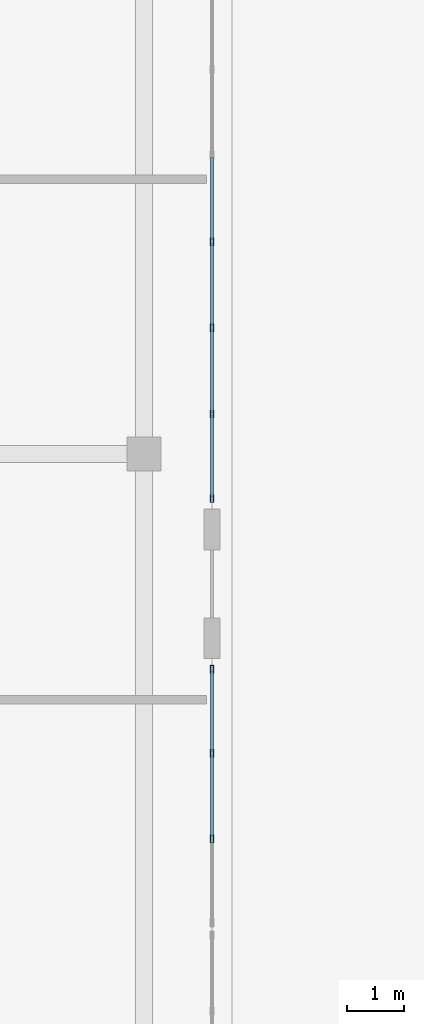
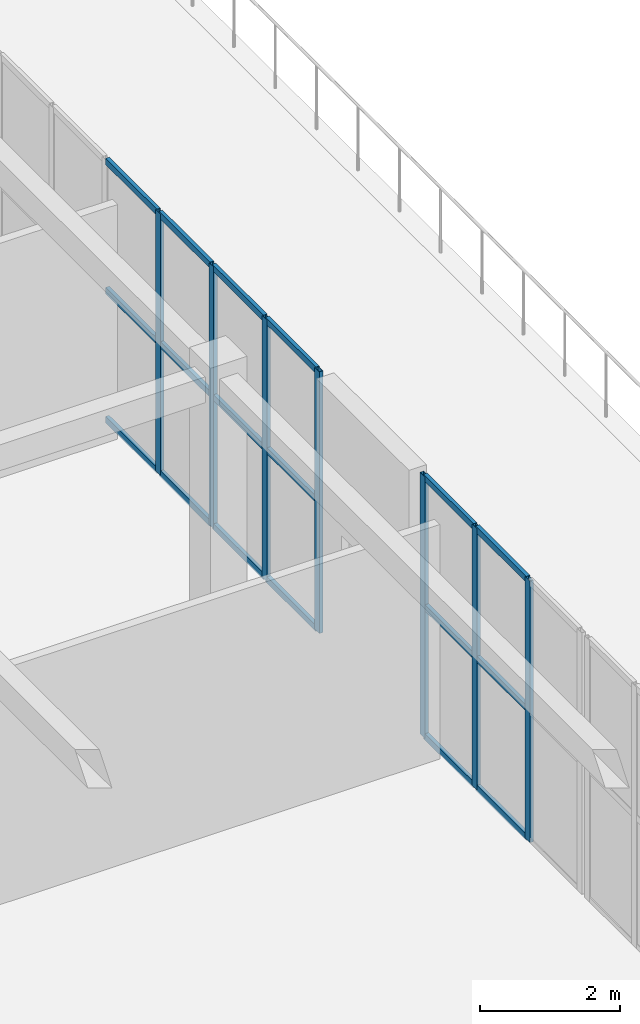
# One storey, part 52 of 158: 25 members, 2 elements without a shape of their own.
"""IFC4 building model written with IfcOpenShell, lengths in metres."""

from ifc_helpers import new_model, si_unit, direction, frame, origin, origin_2d, place, context, subcontext, project, spatial, hollow_rectangle, extrude, material, layer, layer_set, material_profile, profile_set, type_object, element, aggregate, save


model = new_model("IFC4")

# Units and contexts
model_context = context("Model", 3, precision=1e-05, world=origin(), true_north=direction((0.0, 1.0)))
body_context = subcontext(model_context, "Body", "Model", "MODEL_VIEW")
ifc_project = project(units=[si_unit("LENGTHUNIT", "METRE"), si_unit("AREAUNIT", "SQUARE_METRE"), si_unit("VOLUMEUNIT", "CUBIC_METRE"), si_unit("PLANEANGLEUNIT", "RADIAN"), si_unit("MASSUNIT", "GRAM", prefix="KILO")], contexts=[model_context])

# Site, building, storey
site_placement = place(None, origin())
site = spatial("IfcSite", under=ifc_project, at=site_placement, CompositionType="ELEMENT")
building_placement = place(site_placement, origin())
building = spatial("IfcBuilding", under=site, at=building_placement, Name="Trelvath General Hospital", CompositionType="ELEMENT")
storey_placement = place(building_placement, frame((0.0, 0.0, 8.10009765625)))
storey = spatial("IfcBuildingStorey", under=building, at=storey_placement, Name="L02", CompositionType="ELEMENT", Elevation=8.10009765625)

# Curtain wall, members
ifc_material_1 = material(Name="Anodised aluminium and low-E glass", Category="aluminium")
ifc_layer_1 = layer(ifc_material_1, 0.139892578125)
ifc_layer_set_1 = layer_set([ifc_layer_1], Name="Anodised aluminium and low-E glass")
curtain_wall_type_1 = type_object("IfcCurtainWallType", Name="CW CrystalCube 454 456 14", PredefinedType="USERDEFINED", material=ifc_layer_set_1)
curtain_wall_1_placement = place(storey_placement, origin())
curtain_wall_1 = element("IfcCurtainWall", 1, at=curtain_wall_1_placement, inside=storey, type_object=curtain_wall_type_1, Name="Crystal Cube Curtain Wall CUBE-E-T1 E3 L02", ObjectType="Unitised Glazed Curtain Wall", PredefinedType="USERDEFINED")
ifc_material_2 = material(Name="Anodised aluminium", Category="aluminium")
ifc_material_profile_1 = material_profile(ifc_material_2, hollow_rectangle(XDim=0.06005859375, YDim=0.139892578125, WallThickness=0.00390625, at=origin_2d()), Name="RHS60x140x4")
ifc_profile_set_1 = profile_set([ifc_material_profile_1], Name="Anodised aluminium")
member_type_1 = type_object("IfcMemberType", Name="CurtainMullion 60x140", PredefinedType="MULLION", material=ifc_profile_set_1)
member_1_placement = place(storey_placement, frame((114.800048828125, 54.989990234375, 0.0), z_axis=(0.0, 0.0, 1.0), x_axis=(1.0, 0.0, 0.0)))
member_1 = element("IfcMember", 2, at=member_1_placement, type_object=member_type_1, Name="CW-214 mullion 1", PredefinedType="MULLION", context=body_context, shape_type="SweptSolid", body=[
    extrude(hollow_rectangle(XDim=0.06005859375, YDim=0.139892578125, WallThickness=0.00390625, at=origin_2d()), origin(), (0.0, 0.0, 1.0), 4.559814453125),
])
member_2_placement = place(storey_placement, frame((114.800048828125, 53.506591796875, 0.0), z_axis=(0.0, 0.0, 1.0), x_axis=(1.0, 0.0, 0.0)))
member_2 = element("IfcMember", 3, at=member_2_placement, type_object=member_type_1, Name="CW-214 mullion 2", PredefinedType="MULLION", context=body_context, shape_type="SweptSolid", body=[
    extrude(hollow_rectangle(XDim=0.06005859375, YDim=0.139892578125, WallThickness=0.00390625, at=origin_2d()), origin(), (0.0, 0.0, 1.0), 4.559814453125),
])
member_3_placement = place(storey_placement, frame((114.800048828125, 51.993408203125, 0.0), z_axis=(0.0, 0.0, 1.0), x_axis=(1.0, 0.0, 0.0)))
member_3 = element("IfcMember", 4, at=member_3_placement, type_object=member_type_1, Name="CW-214 mullion 3", PredefinedType="MULLION", context=body_context, shape_type="SweptSolid", body=[
    extrude(hollow_rectangle(XDim=0.06005859375, YDim=0.139892578125, WallThickness=0.00390625, at=origin_2d()), origin(), (0.0, 0.0, 1.0), 4.559814453125),
])

ifc_material_3 = material(Name="Anodised aluminium and low-E glass", Category="aluminium")
ifc_layer_2 = layer(ifc_material_3, 0.139892578125)
ifc_layer_set_2 = layer_set([ifc_layer_2], Name="Anodised aluminium and low-E glass")
curtain_wall_type_2 = type_object("IfcCurtainWallType", Name="CW CrystalCube 914 456 14", PredefinedType="USERDEFINED", material=ifc_layer_set_2)
curtain_wall_2_placement = place(storey_placement, origin())
curtain_wall_2 = element("IfcCurtainWall", 5, at=curtain_wall_2_placement, inside=storey, type_object=curtain_wall_type_2, Name="Crystal Cube Curtain Wall CUBE-E-T1 E5 L02", ObjectType="Unitised Glazed Curtain Wall", PredefinedType="USERDEFINED")
member_4_placement = place(storey_placement, frame((114.800048828125, 62.550048828125, 0.0), z_axis=(0.0, 0.0, 1.0), x_axis=(1.0, 0.0, 0.0)))
member_4 = element("IfcMember", 6, at=member_4_placement, type_object=member_type_1, Name="CW-215 mullion 4", PredefinedType="MULLION", context=body_context, shape_type="SweptSolid", body=[
    extrude(hollow_rectangle(XDim=0.06005859375, YDim=0.139892578125, WallThickness=0.00390625, at=origin_2d()), origin(), (0.0, 0.0, 1.0), 4.559814453125),
])
member_5_placement = place(storey_placement, frame((114.800048828125, 61.026611328125, 0.0), z_axis=(0.0, 0.0, 1.0), x_axis=(1.0, 0.0, 0.0)))
member_5 = element("IfcMember", 7, at=member_5_placement, type_object=member_type_1, Name="CW-215 mullion 5", PredefinedType="MULLION", context=body_context, shape_type="SweptSolid", body=[
    extrude(hollow_rectangle(XDim=0.06005859375, YDim=0.139892578125, WallThickness=0.00390625, at=origin_2d()), origin(), (0.0, 0.0, 1.0), 4.559814453125),
])
member_6_placement = place(storey_placement, frame((114.800048828125, 59.50341796875, 0.0), z_axis=(0.0, 0.0, 1.0), x_axis=(1.0, 0.0, 0.0)))
member_6 = element("IfcMember", 8, at=member_6_placement, type_object=member_type_1, Name="CW-215 mullion 6", PredefinedType="MULLION", context=body_context, shape_type="SweptSolid", body=[
    extrude(hollow_rectangle(XDim=0.06005859375, YDim=0.139892578125, WallThickness=0.00390625, at=origin_2d()), origin(), (0.0, 0.0, 1.0), 4.559814453125),
])
member_7_placement = place(storey_placement, frame((114.800048828125, 58.010009765625, 0.0), z_axis=(0.0, 0.0, 1.0), x_axis=(1.0, 0.0, 0.0)))
member_7 = element("IfcMember", 9, at=member_7_placement, type_object=member_type_1, Name="CW-215 mullion 7", PredefinedType="MULLION", context=body_context, shape_type="SweptSolid", body=[
    extrude(hollow_rectangle(XDim=0.06005859375, YDim=0.139892578125, WallThickness=0.00390625, at=origin_2d()), origin(), (0.0, 0.0, 1.0), 4.559814453125),
])

# Member
ifc_material_4 = material(Name="Anodised aluminium", Category="aluminium")
ifc_material_profile_2 = material_profile(ifc_material_4, hollow_rectangle(XDim=0.06005859375, YDim=0.110107421875, WallThickness=0.00390625, at=origin_2d()), Name="RHS60x110x4")
ifc_profile_set_2 = profile_set([ifc_material_profile_2], Name="Anodised aluminium")
member_type_2 = type_object("IfcMemberType", Name="CurtainTransom 60x110", PredefinedType="USERDEFINED", material=ifc_profile_set_2)
member_8_placement = place(storey_placement, frame((114.800048828125, 54.9599609375, 0.02978515625), z_axis=(0.0, -1.0, 0.0), x_axis=(1.0, 0.0, 0.0)))
member_8 = element("IfcMember", 10, at=member_8_placement, type_object=member_type_2, Name="CW-214 transom 1.1", ObjectType="TRANSOM", PredefinedType="USERDEFINED", context=body_context, shape_type="SweptSolid", body=[
    extrude(hollow_rectangle(XDim=0.06005859375, YDim=0.110107421875, WallThickness=0.00390625, at=origin_2d()), origin(), (0.0, 0.0, 1.0), 1.42333984375),
])

member_9_placement = place(storey_placement, frame((114.800048828125, 54.9599609375, 2.27978515625), z_axis=(0.0, -1.0, 0.0), x_axis=(1.0, 0.0, 0.0)))
member_9 = element("IfcMember", 11, at=member_9_placement, type_object=member_type_2, Name="CW-214 transom 1.2", ObjectType="TRANSOM", PredefinedType="USERDEFINED", context=body_context, shape_type="SweptSolid", body=[
    extrude(hollow_rectangle(XDim=0.06005859375, YDim=0.110107421875, WallThickness=0.00390625, at=origin_2d()), origin(), (0.0, 0.0, 1.0), 1.42333984375),
])

member_10_placement = place(storey_placement, frame((114.800048828125, 54.9599609375, 4.52978515625), z_axis=(0.0, -1.0, 0.0), x_axis=(1.0, 0.0, 0.0)))
member_10 = element("IfcMember", 12, at=member_10_placement, type_object=member_type_2, Name="CW-214 transom 1.3", ObjectType="TRANSOM", PredefinedType="USERDEFINED", context=body_context, shape_type="SweptSolid", body=[
    extrude(hollow_rectangle(XDim=0.06005859375, YDim=0.110107421875, WallThickness=0.00390625, at=origin_2d()), origin(), (0.0, 0.0, 1.0), 1.42333984375),
])

member_11_placement = place(storey_placement, frame((114.800048828125, 53.4765625, 0.02978515625), z_axis=(0.0, -1.0, 0.0), x_axis=(1.0, 0.0, 0.0)))
member_11 = element("IfcMember", 13, at=member_11_placement, type_object=member_type_2, Name="CW-214 transom 2.1", ObjectType="TRANSOM", PredefinedType="USERDEFINED", context=body_context, shape_type="SweptSolid", body=[
    extrude(hollow_rectangle(XDim=0.06005859375, YDim=0.110107421875, WallThickness=0.00390625, at=origin_2d()), origin(), (0.0, 0.0, 1.0), 1.453125),
])

member_12_placement = place(storey_placement, frame((114.800048828125, 53.4765625, 2.27978515625), z_axis=(0.0, -1.0, 0.0), x_axis=(1.0, 0.0, 0.0)))
member_12 = element("IfcMember", 14, at=member_12_placement, type_object=member_type_2, Name="CW-214 transom 2.2", ObjectType="TRANSOM", PredefinedType="USERDEFINED", context=body_context, shape_type="SweptSolid", body=[
    extrude(hollow_rectangle(XDim=0.06005859375, YDim=0.110107421875, WallThickness=0.00390625, at=origin_2d()), origin(), (0.0, 0.0, 1.0), 1.453125),
])

member_13_placement = place(storey_placement, frame((114.800048828125, 53.4765625, 4.52978515625), z_axis=(0.0, -1.0, 0.0), x_axis=(1.0, 0.0, 0.0)))
member_13 = element("IfcMember", 15, at=member_13_placement, type_object=member_type_2, Name="CW-214 transom 2.3", ObjectType="TRANSOM", PredefinedType="USERDEFINED", context=body_context, shape_type="SweptSolid", body=[
    extrude(hollow_rectangle(XDim=0.06005859375, YDim=0.110107421875, WallThickness=0.00390625, at=origin_2d()), origin(), (0.0, 0.0, 1.0), 1.453125),
])

aggregate(curtain_wall_1, [member_1, member_2, member_3, member_8, member_9, member_10, member_11, member_12, member_13])

member_14_placement = place(storey_placement, frame((114.800048828125, 64.043212890625, 0.02978515625), z_axis=(0.0, -1.0, 0.0), x_axis=(1.0, 0.0, 0.0)))
member_14 = element("IfcMember", 16, at=member_14_placement, type_object=member_type_2, Name="CW-215 transom 3.1", ObjectType="TRANSOM", PredefinedType="USERDEFINED", context=body_context, shape_type="SweptSolid", body=[
    extrude(hollow_rectangle(XDim=0.06005859375, YDim=0.110107421875, WallThickness=0.00390625, at=origin_2d()), origin(), (0.0, 0.0, 1.0), 1.463134765625),
])

member_15_placement = place(storey_placement, frame((114.800048828125, 64.043212890625, 2.27978515625), z_axis=(0.0, -1.0, 0.0), x_axis=(1.0, 0.0, 0.0)))
member_15 = element("IfcMember", 17, at=member_15_placement, type_object=member_type_2, Name="CW-215 transom 3.2", ObjectType="TRANSOM", PredefinedType="USERDEFINED", context=body_context, shape_type="SweptSolid", body=[
    extrude(hollow_rectangle(XDim=0.06005859375, YDim=0.110107421875, WallThickness=0.00390625, at=origin_2d()), origin(), (0.0, 0.0, 1.0), 1.463134765625),
])

member_16_placement = place(storey_placement, frame((114.800048828125, 64.043212890625, 4.52978515625), z_axis=(0.0, -1.0, 0.0), x_axis=(1.0, 0.0, 0.0)))
member_16 = element("IfcMember", 18, at=member_16_placement, type_object=member_type_2, Name="CW-215 transom 3.3", ObjectType="TRANSOM", PredefinedType="USERDEFINED", context=body_context, shape_type="SweptSolid", body=[
    extrude(hollow_rectangle(XDim=0.06005859375, YDim=0.110107421875, WallThickness=0.00390625, at=origin_2d()), origin(), (0.0, 0.0, 1.0), 1.463134765625),
])

member_17_placement = place(storey_placement, frame((114.800048828125, 62.52001953125, 0.02978515625), z_axis=(0.0, -1.0, 0.0), x_axis=(1.0, 0.0, 0.0)))
member_17 = element("IfcMember", 19, at=member_17_placement, type_object=member_type_2, Name="CW-215 transom 4.1", ObjectType="TRANSOM", PredefinedType="USERDEFINED", context=body_context, shape_type="SweptSolid", body=[
    extrude(hollow_rectangle(XDim=0.06005859375, YDim=0.110107421875, WallThickness=0.00390625, at=origin_2d()), origin(), (0.0, 0.0, 1.0), 1.46337890625),
])

member_18_placement = place(storey_placement, frame((114.800048828125, 62.52001953125, 2.27978515625), z_axis=(0.0, -1.0, 0.0), x_axis=(1.0, 0.0, 0.0)))
member_18 = element("IfcMember", 20, at=member_18_placement, type_object=member_type_2, Name="CW-215 transom 4.2", ObjectType="TRANSOM", PredefinedType="USERDEFINED", context=body_context, shape_type="SweptSolid", body=[
    extrude(hollow_rectangle(XDim=0.06005859375, YDim=0.110107421875, WallThickness=0.00390625, at=origin_2d()), origin(), (0.0, 0.0, 1.0), 1.46337890625),
])

member_19_placement = place(storey_placement, frame((114.800048828125, 62.52001953125, 4.52978515625), z_axis=(0.0, -1.0, 0.0), x_axis=(1.0, 0.0, 0.0)))
member_19 = element("IfcMember", 21, at=member_19_placement, type_object=member_type_2, Name="CW-215 transom 4.3", ObjectType="TRANSOM", PredefinedType="USERDEFINED", context=body_context, shape_type="SweptSolid", body=[
    extrude(hollow_rectangle(XDim=0.06005859375, YDim=0.110107421875, WallThickness=0.00390625, at=origin_2d()), origin(), (0.0, 0.0, 1.0), 1.46337890625),
])

member_20_placement = place(storey_placement, frame((114.800048828125, 60.99658203125, 0.02978515625), z_axis=(0.0, -1.0, 0.0), x_axis=(1.0, 0.0, 0.0)))
member_20 = element("IfcMember", 22, at=member_20_placement, type_object=member_type_2, Name="CW-215 transom 5.1", ObjectType="TRANSOM", PredefinedType="USERDEFINED", context=body_context, shape_type="SweptSolid", body=[
    extrude(hollow_rectangle(XDim=0.06005859375, YDim=0.110107421875, WallThickness=0.00390625, at=origin_2d()), origin(), (0.0, 0.0, 1.0), 1.463134765625),
])

member_21_placement = place(storey_placement, frame((114.800048828125, 60.99658203125, 2.27978515625), z_axis=(0.0, -1.0, 0.0), x_axis=(1.0, 0.0, 0.0)))
member_21 = element("IfcMember", 23, at=member_21_placement, type_object=member_type_2, Name="CW-215 transom 5.2", ObjectType="TRANSOM", PredefinedType="USERDEFINED", context=body_context, shape_type="SweptSolid", body=[
    extrude(hollow_rectangle(XDim=0.06005859375, YDim=0.110107421875, WallThickness=0.00390625, at=origin_2d()), origin(), (0.0, 0.0, 1.0), 1.463134765625),
])

member_22_placement = place(storey_placement, frame((114.800048828125, 60.99658203125, 4.52978515625), z_axis=(0.0, -1.0, 0.0), x_axis=(1.0, 0.0, 0.0)))
member_22 = element("IfcMember", 24, at=member_22_placement, type_object=member_type_2, Name="CW-215 transom 5.3", ObjectType="TRANSOM", PredefinedType="USERDEFINED", context=body_context, shape_type="SweptSolid", body=[
    extrude(hollow_rectangle(XDim=0.06005859375, YDim=0.110107421875, WallThickness=0.00390625, at=origin_2d()), origin(), (0.0, 0.0, 1.0), 1.463134765625),
])

member_23_placement = place(storey_placement, frame((114.800048828125, 59.473388671875, 0.02978515625), z_axis=(0.0, -1.0, 0.0), x_axis=(1.0, 0.0, 0.0)))
member_23 = element("IfcMember", 25, at=member_23_placement, type_object=member_type_2, Name="CW-215 transom 6.1", ObjectType="TRANSOM", PredefinedType="USERDEFINED", context=body_context, shape_type="SweptSolid", body=[
    extrude(hollow_rectangle(XDim=0.06005859375, YDim=0.110107421875, WallThickness=0.00390625, at=origin_2d()), origin(), (0.0, 0.0, 1.0), 1.433349609375),
])

member_24_placement = place(storey_placement, frame((114.800048828125, 59.473388671875, 2.27978515625), z_axis=(0.0, -1.0, 0.0), x_axis=(1.0, 0.0, 0.0)))
member_24 = element("IfcMember", 26, at=member_24_placement, type_object=member_type_2, Name="CW-215 transom 6.2", ObjectType="TRANSOM", PredefinedType="USERDEFINED", context=body_context, shape_type="SweptSolid", body=[
    extrude(hollow_rectangle(XDim=0.06005859375, YDim=0.110107421875, WallThickness=0.00390625, at=origin_2d()), origin(), (0.0, 0.0, 1.0), 1.433349609375),
])

member_25_placement = place(storey_placement, frame((114.800048828125, 59.473388671875, 4.52978515625), z_axis=(0.0, -1.0, 0.0), x_axis=(1.0, 0.0, 0.0)))
member_25 = element("IfcMember", 27, at=member_25_placement, type_object=member_type_2, Name="CW-215 transom 6.3", ObjectType="TRANSOM", PredefinedType="USERDEFINED", context=body_context, shape_type="SweptSolid", body=[
    extrude(hollow_rectangle(XDim=0.06005859375, YDim=0.110107421875, WallThickness=0.00390625, at=origin_2d()), origin(), (0.0, 0.0, 1.0), 1.433349609375),
])

aggregate(curtain_wall_2, [member_4, member_5, member_6, member_7, member_14, member_15, member_16, member_17, member_18, member_19, member_20, member_21, member_22, member_23, member_24, member_25])

save(model, "model.ifc")
